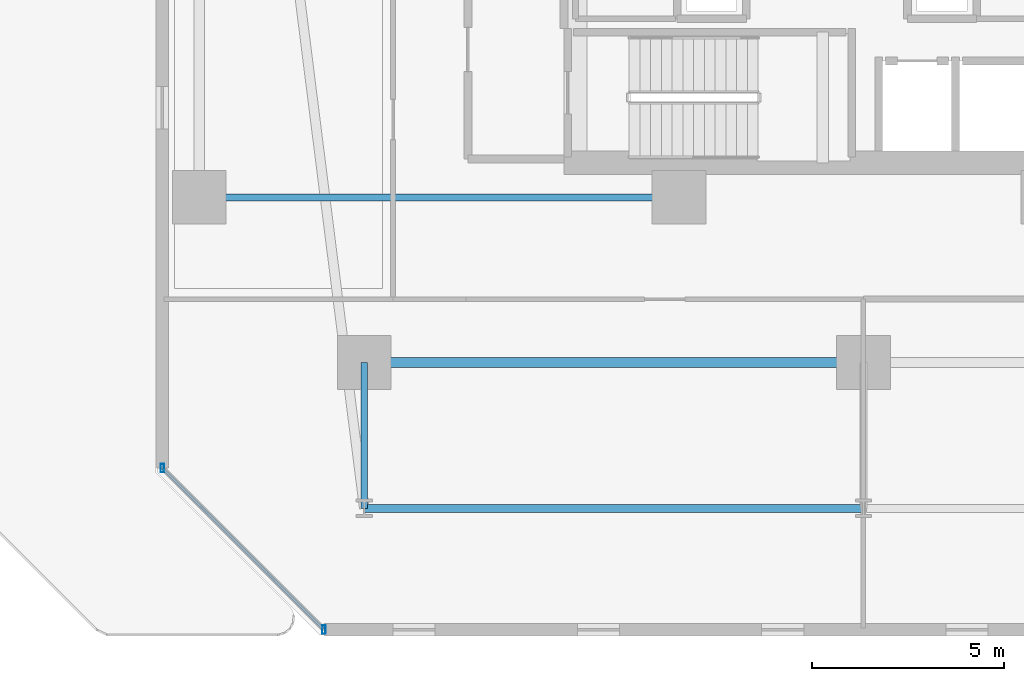
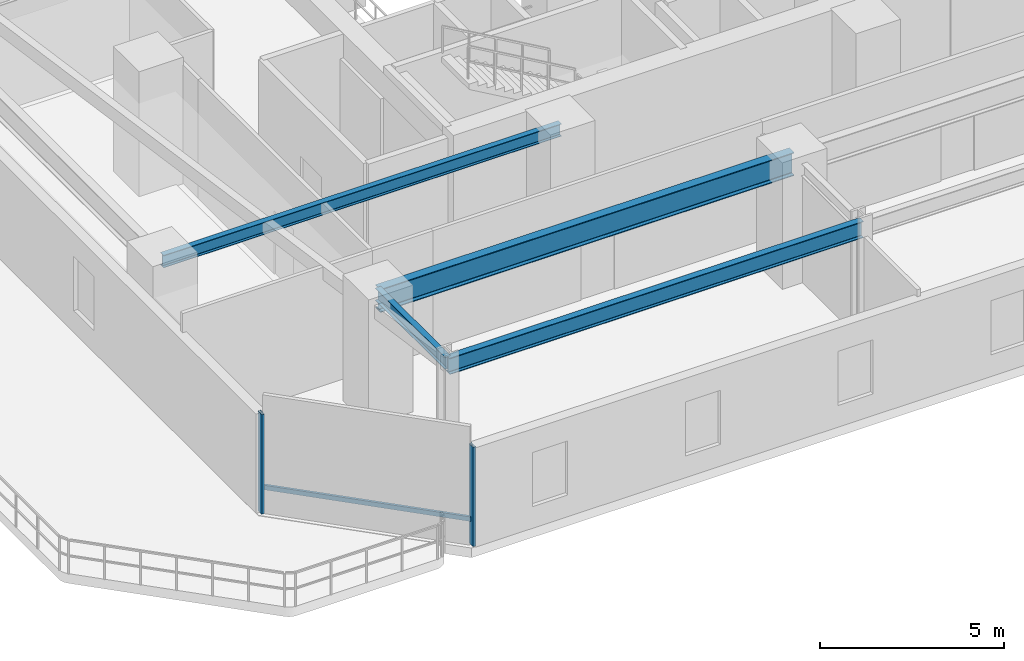
# One storey, part 3 of 33: 4 beams, 3 members, 1 element without a shape of its own.
"""IFC4 building model written with IfcOpenShell, lengths in metres."""

from ifc_helpers import new_model, si_unit, direction, frame, origin, origin_2d, place, context, subcontext, project, spatial, hollow_rectangle, i_section, extrude, material, material_profile, profile_set, type_object, element, aggregate, save


model = new_model("IFC4")

# Units and contexts
model_context = context("Model", 3, precision=1e-05, world=origin(), true_north=direction((0.0, 1.0)))
body_context = subcontext(model_context, "Body", "Model", "MODEL_VIEW")
ifc_project = project(units=[si_unit("LENGTHUNIT", "METRE"), si_unit("AREAUNIT", "SQUARE_METRE"), si_unit("VOLUMEUNIT", "CUBIC_METRE"), si_unit("PLANEANGLEUNIT", "RADIAN"), si_unit("MASSUNIT", "GRAM", prefix="KILO")], contexts=[model_context])

# Site, building, storey
site_placement = place(None, origin())
site = spatial("IfcSite", under=ifc_project, at=site_placement, CompositionType="ELEMENT")
building_placement = place(site_placement, origin())
building = spatial("IfcBuilding", under=site, at=building_placement, Name="Thornwick Lancets Civic Towers", CompositionType="ELEMENT")
storey_placement = place(building_placement, frame((0.0, 0.0, 49.5)))
storey = spatial("IfcBuildingStorey", under=building, at=storey_placement, Name="L12", CompositionType="ELEMENT", Elevation=49.5)

# Beams
ifc_material_1 = material(Name="Steel S355JR", Category="steel")
ifc_material_profile_1 = material_profile(ifc_material_1, i_section(OverallWidth=0.2119140625, OverallDepth=0.54443359375, WebThickness=0.0126953125, FlangeThickness=0.021240234375, FilletRadius=0.0126953125, at=origin_2d()), Name="UKB 533x210x122")
ifc_profile_set_1 = profile_set([ifc_material_profile_1], Name="Steel S355JR")
beam_type_1 = type_object("IfcBeamType", Name="BM_EDGE_533_122", PredefinedType="SPANDREL", material=ifc_profile_set_1)
beam_1_placement = place(storey_placement, frame((12.5, 5.89990234375, 3.687744140625), z_axis=(1.0, 0.0, 0.0), x_axis=(0.0, 1.0, 0.0)))
element("IfcBeam", 1, at=beam_1_placement, inside=storey, type_object=beam_type_1, Name="BM-EDGE-L12-A-S0-1", PredefinedType="SPANDREL", context=body_context, shape_type="SweptSolid", body=[
    extrude(i_section(OverallWidth=0.2119140625, OverallDepth=0.54443359375, WebThickness=0.0126953125, FlangeThickness=0.021240234375, FilletRadius=0.0126953125, at=origin_2d()), origin(), (0.0, 0.0, 1.0), 13.0),
])
ifc_material_profile_2 = material_profile(ifc_material_1, i_section(OverallWidth=0.26806640625, OverallDepth=0.769775390625, WebThickness=0.015625, FlangeThickness=0.025390625, FilletRadius=0.0166015625, at=origin_2d()), Name="UKB 762x267x197")
ifc_profile_set_2 = profile_set([ifc_material_profile_2], Name="Steel S355JR")
beam_type_2 = type_object("IfcBeamType", Name="BM_GIRD_762_197", PredefinedType="BEAM", material=ifc_profile_set_2)
beam_2_placement = place(storey_placement, frame((12.5, 9.699951171875, 3.5751953125), z_axis=(1.0, 0.0, 0.0), x_axis=(0.0, 1.0, 0.0)))
element("IfcBeam", 2, at=beam_2_placement, inside=storey, type_object=beam_type_2, Name="BM-SPINE-L12-A-0-1", PredefinedType="BEAM", context=body_context, shape_type="SweptSolid", body=[
    extrude(i_section(OverallWidth=0.26806640625, OverallDepth=0.769775390625, WebThickness=0.015625, FlangeThickness=0.025390625, FilletRadius=0.0166015625, at=origin_2d()), origin(), (0.0, 0.0, 1.0), 13.0),
])
ifc_material_profile_3 = material_profile(ifc_material_1, i_section(OverallWidth=0.179443359375, OverallDepth=0.412841796875, WebThickness=0.009521484375, FlangeThickness=0.01611328125, FilletRadius=0.01025390625, at=origin_2d()), Name="UKB 406x178x74")
ifc_profile_set_3 = profile_set([ifc_material_profile_3], Name="Steel S355JR")
beam_type_3 = type_object("IfcBeamType", Name="BM_JOIST_406_74", PredefinedType="JOIST", material=ifc_profile_set_3)
beam_3_placement = place(storey_placement, frame((12.5, 9.699951171875, 3.753662109375), z_axis=(0.0, -1.0, 0.0), x_axis=(1.0, 0.0, 0.0)))
element("IfcBeam", 3, at=beam_3_placement, inside=storey, type_object=beam_type_3, Name="BM-RAD-L12-A01", PredefinedType="JOIST", context=body_context, shape_type="SweptSolid", body=[
    extrude(i_section(OverallWidth=0.179443359375, OverallDepth=0.412841796875, WebThickness=0.009521484375, FlangeThickness=0.01611328125, FilletRadius=0.01025390625, at=origin_2d()), origin(), (0.0, 0.0, 1.0), 3.800048828125),
])
beam_4_placement = place(storey_placement, frame((20.699951171875, 14.0, 3.753662109375), z_axis=(-1.0, 0.0, 0.0), x_axis=(0.0, -1.0, 0.0)))
element("IfcBeam", 4, at=beam_4_placement, inside=storey, type_object=beam_type_3, Name="BM-RADIN-L12-A10", PredefinedType="JOIST", context=body_context, shape_type="SweptSolid", body=[
    extrude(i_section(OverallWidth=0.179443359375, OverallDepth=0.412841796875, WebThickness=0.009521484375, FlangeThickness=0.01611328125, FilletRadius=0.01025390625, at=origin_2d()), origin(), (0.0, 0.0, 1.0), 12.5),
])

# Curtain wall, members
ifc_material_2 = material(Name="Low-zone chamfered-corner unitised glass curtain wall", Category="glass")
curtain_wall_type = type_object("IfcCurtainWallType", Name="CW_SYS_03", PredefinedType="NOTDEFINED", material=ifc_material_2)
curtain_wall_placement = place(storey_placement, origin())
curtain_wall = element("IfcCurtainWall", 5, at=curtain_wall_placement, inside=storey, type_object=curtain_wall_type, Name="L12 Curtain Wall CW-L12-A-E7", PredefinedType="NOTDEFINED")
ifc_material_3 = material(Name="Thermally broken bronze aluminium S355", Category="steel")
ifc_material_profile_4 = material_profile(ifc_material_3, hollow_rectangle(XDim=0.090087890625, YDim=0.219970703125, WallThickness=0.00634765625, at=origin_2d()), Name="RHS 220x90x6.3")
ifc_profile_set_4 = profile_set([ifc_material_profile_4], Name="Thermally broken bronze aluminium S355")
member_type_1 = type_object("IfcMemberType", Name="CW_MUL_220", PredefinedType="MULLION", material=ifc_profile_set_4)
member_1_placement = place(storey_placement, frame((7.240478515625, 6.948486328125, 0.0), z_axis=(0.0, 0.0, 1.0), x_axis=(1.0, 0.0, 0.0)))
member_1 = element("IfcMember", 6, at=member_1_placement, type_object=member_type_1, Name="CW-L12-A-E7 Mullion 0", PredefinedType="MULLION", context=body_context, shape_type="SweptSolid", body=[
    extrude(hollow_rectangle(XDim=0.090087890625, YDim=0.219970703125, WallThickness=0.00634765625, at=origin_2d()), origin(), (0.0, 0.0, 1.0), 3.300048828125),
])
member_2_placement = place(storey_placement, frame((11.448486328125, 2.740478515625, 0.0), z_axis=(0.0, 0.0, 1.0), x_axis=(1.0, 0.0, 0.0)))
member_2 = element("IfcMember", 7, at=member_2_placement, type_object=member_type_1, Name="CW-L12-A-E7 Mullion 1", PredefinedType="MULLION", context=body_context, shape_type="SweptSolid", body=[
    extrude(hollow_rectangle(XDim=0.090087890625, YDim=0.219970703125, WallThickness=0.00634765625, at=origin_2d()), origin(), (0.0, 0.0, 1.0), 3.300048828125),
])
ifc_material_profile_5 = material_profile(ifc_material_3, hollow_rectangle(XDim=0.074951171875, YDim=0.14990234375, WallThickness=0.0048828125, at=origin_2d()), Name="RHS 150x75x5")
ifc_profile_set_5 = profile_set([ifc_material_profile_5], Name="Thermally broken bronze aluminium S355")
member_type_2 = type_object("IfcMemberType", Name="CW_TRN_150", PredefinedType="USERDEFINED", material=ifc_profile_set_5)
member_3_placement = place(storey_placement, frame((7.25439453125, 6.9345703125, 0.85009765625), z_axis=(0.707106781187, -0.707106781187, 0.0), x_axis=(0.707106781187, 0.707106781187, 0.0)))
member_3 = element("IfcMember", 8, at=member_3_placement, type_object=member_type_2, Name="CW-L12-A-E7 Transom 0", ObjectType="TRANSOM", PredefinedType="USERDEFINED", context=body_context, shape_type="SweptSolid", body=[
    extrude(hollow_rectangle(XDim=0.074951171875, YDim=0.14990234375, WallThickness=0.0048828125, at=origin_2d()), origin(), (0.0, 0.0, 1.0), 5.91162109375),
])
aggregate(curtain_wall, [member_1, member_2, member_3])

save(model, "model.ifc")
